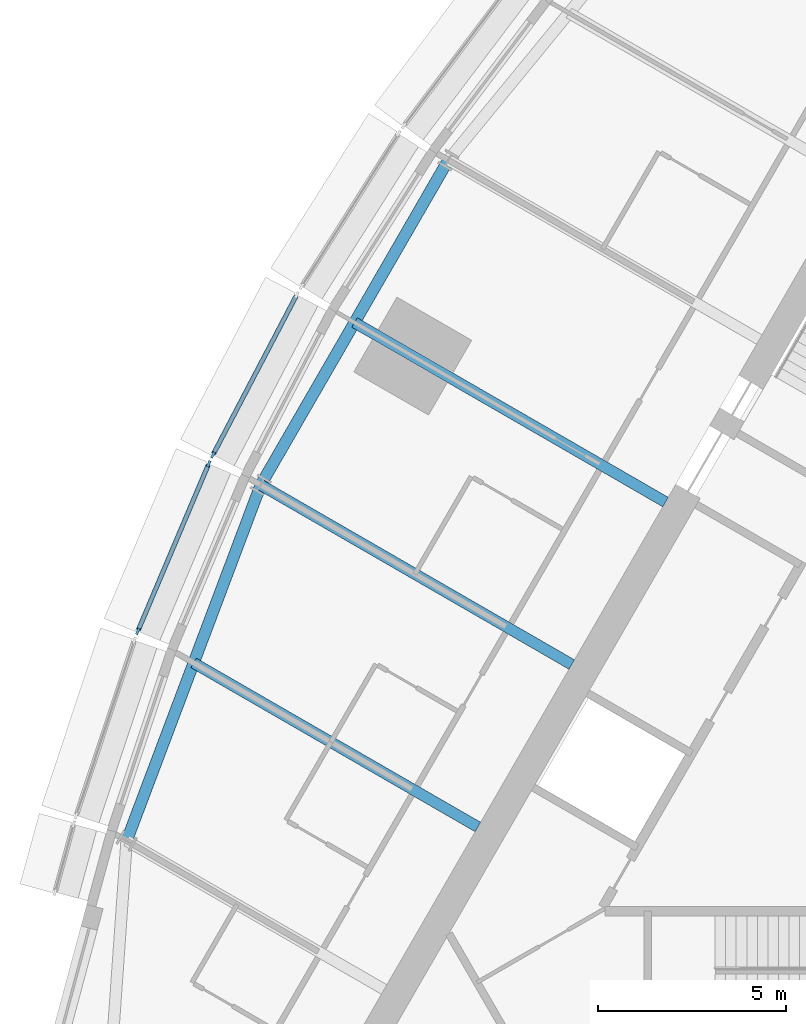
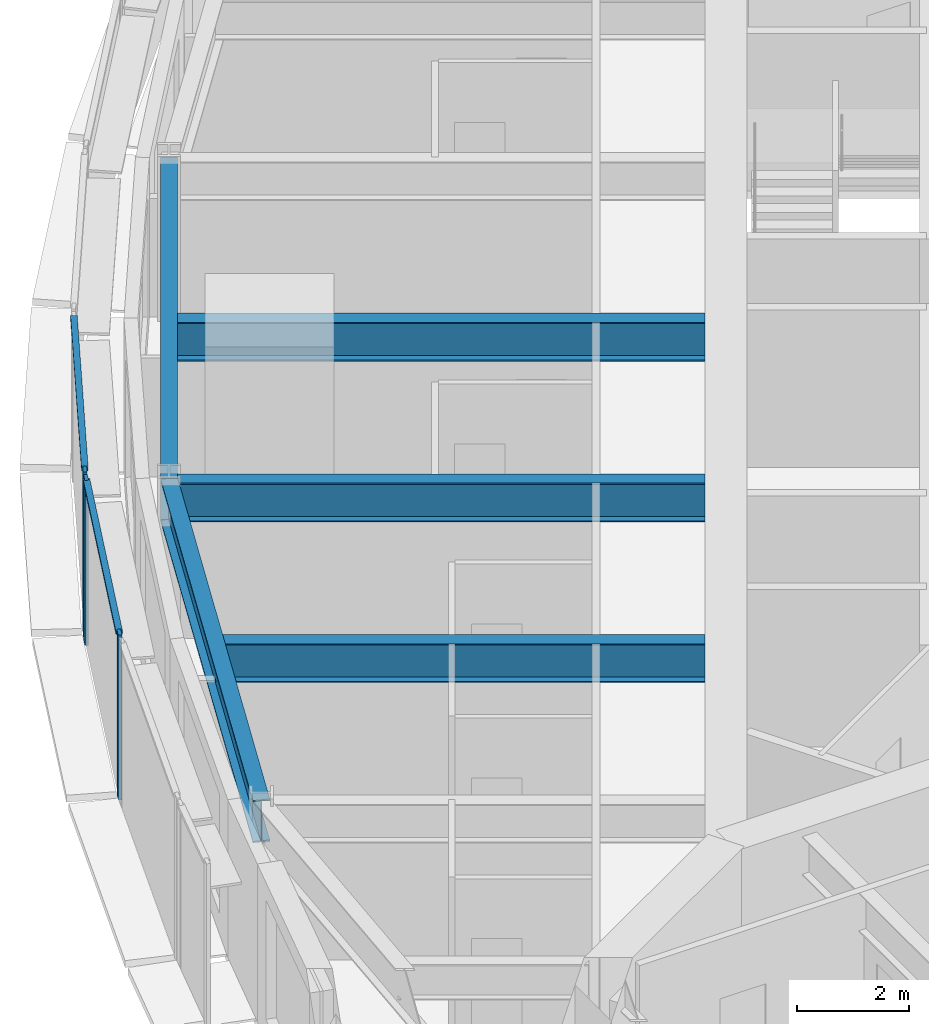
# One storey, part 3 of 15: 5 beams, 5 members, 2 elements without a shape of their own.
"""IFC4 building model written with IfcOpenShell, lengths in metres."""

from ifc_helpers import new_model, si_unit, direction, frame, origin, origin_2d, place, context, subcontext, project, spatial, rectangle, i_section, extrude, material, material_profile, profile_set, type_object, element, aggregate, save


model = new_model("IFC4")

# Units and contexts
model_context = context("Model", 3, precision=1e-05, world=origin(), true_north=direction((0.0, 1.0)))
body_context = subcontext(model_context, "Body", "Model", "MODEL_VIEW")
ifc_project = project(units=[si_unit("LENGTHUNIT", "METRE"), si_unit("AREAUNIT", "SQUARE_METRE"), si_unit("VOLUMEUNIT", "CUBIC_METRE"), si_unit("PLANEANGLEUNIT", "RADIAN"), si_unit("MASSUNIT", "GRAM", prefix="KILO")], contexts=[model_context])

# Site, building, storey
site_placement = place(None, origin())
site = spatial("IfcSite", under=ifc_project, at=site_placement, CompositionType="ELEMENT")
building_placement = place(site_placement, origin())
building = spatial("IfcBuilding", under=site, at=building_placement, Name="Trikona Tower", CompositionType="ELEMENT")
storey_placement = place(building_placement, frame((0.0, 0.0, 215.300048828125)))
storey = spatial("IfcBuildingStorey", under=building, at=storey_placement, Name="L57", CompositionType="ELEMENT", Elevation=215.300048828125)

# Curtain wall, member
ifc_material_1 = material(Name="Aluminium curtain wall system", Category="aluminium")
curtain_wall_type = type_object("IfcCurtainWallType", Name="Curtain wall DS3", PredefinedType="NOTDEFINED", material=ifc_material_1)
curtain_wall_1_placement = place(storey_placement, origin())
curtain_wall_1 = element("IfcCurtainWall", 1, at=curtain_wall_1_placement, inside=storey, type_object=curtain_wall_type, Name="Curtain wall DS3 L57", PredefinedType="NOTDEFINED")
ifc_material_2 = material(Name="Aluminium mullion, pale anodised", Category="aluminium")
ifc_material_profile_1 = material_profile(ifc_material_2, rectangle(XDim=0.070068359375, YDim=0.179931640625, at=origin_2d()), Name="MUL-DS3")
ifc_profile_set_1 = profile_set([ifc_material_profile_1], Name="Aluminium mullion, pale anodised")
member_type_1 = type_object("IfcMemberType", Name="Mullion DS3 70x180", PredefinedType="MULLION", material=ifc_profile_set_1)
member_1_placement = place(storey_placement, frame((-20.635986328125, 6.20751953125, 0.0), z_axis=(0.0, 0.0, 1.0), x_axis=(0.885862390527, -0.463948084434, 0.0)))
member_1 = element("IfcMember", 2, at=member_1_placement, type_object=member_type_1, Name="CW-DS3 mullion 2", PredefinedType="MULLION", context=body_context, shape_type="SweptSolid", body=[
    extrude(rectangle(XDim=0.070068359375, YDim=0.179931640625, at=origin_2d()), origin(), (0.0, 0.0, 1.0), 3.599853515625),
])

# Curtain wall, members
curtain_wall_2_placement = place(storey_placement, origin())
curtain_wall_2 = element("IfcCurtainWall", 3, at=curtain_wall_2_placement, inside=storey, type_object=curtain_wall_type, Name="Curtain wall DS3 L57", PredefinedType="NOTDEFINED")
member_2_placement = place(storey_placement, frame((-20.74853515625, 5.969482421875, 0.0), z_axis=(0.0, 0.0, 1.0), x_axis=(0.920792322808, -0.390053199266, 0.0)))
member_2 = element("IfcMember", 4, at=member_2_placement, type_object=member_type_1, Name="CW-DS3 mullion 1", PredefinedType="MULLION", context=body_context, shape_type="SweptSolid", body=[
    extrude(rectangle(XDim=0.070068359375, YDim=0.179931640625, at=origin_2d()), origin(), (0.0, 0.0, 1.0), 3.599853515625),
])
member_3_placement = place(storey_placement, frame((-22.6396484375, 1.50537109375, 0.0), z_axis=(0.0, 0.0, 1.0), x_axis=(0.920792322808, -0.390053199266, 0.0)))
member_3 = element("IfcMember", 5, at=member_3_placement, type_object=member_type_1, Name="CW-DS3 mullion 2", PredefinedType="MULLION", context=body_context, shape_type="SweptSolid", body=[
    extrude(rectangle(XDim=0.070068359375, YDim=0.179931640625, at=origin_2d()), origin(), (0.0, 0.0, 1.0), 3.599853515625),
])

# Beams
ifc_material_3 = material(Name="Steel ASTM A992 Grade 50", Category="steel")
ifc_material_profile_2 = material_profile(ifc_material_3, i_section(OverallWidth=0.2919921875, OverallDepth=0.845703125, WebThickness=0.015380859375, FlangeThickness=0.0244140625, at=origin_2d()), Name="W33X141")
ifc_profile_set_2 = profile_set([ifc_material_profile_2], Name="Steel ASTM A992 Grade 50")
beam_type_1 = type_object("IfcBeamType", Name="Steel beam W33x141 (radial typ)", PredefinedType="BEAM", material=ifc_profile_set_2)
for number, where, z_axis, x_axis, name in (
    (6, (-8.57470703125, 4.95068359375, 3.011962890625), (-0.866025863714, 0.499999203377, 0.0), (-0.499999203377, -0.866025863714, 0.0), "Floor beam L58 F3 u0"),
    (7, (-11.07470703125, 0.62060546875, 3.011962890625), (-0.866025863714, 0.499999203377, 0.0), (-0.499999203377, -0.866025863714, 0.0), "Floor beam L58 F3 u5"),
):
    element("IfcBeam", number, at=place(storey_placement, frame(where, z_axis=z_axis, x_axis=x_axis)), inside=storey, type_object=beam_type_1, Name=name, PredefinedType="BEAM", context=body_context, shape_type="SweptSolid", body=[
        extrude(i_section(OverallWidth=0.2919921875, OverallDepth=0.845703125, WebThickness=0.015380859375, FlangeThickness=0.0244140625, at=origin_2d()), origin(), (0.0, 0.0, 1.0), 9.57080078125),
    ])
beam_1_placement = place(storey_placement, frame((-13.57470703125, -3.709716796875, 3.011962890625), z_axis=(-0.866013609749, 0.500020427312, 0.0), x_axis=(-0.500020427312, -0.866013609749, 0.0)))
element("IfcBeam", 8, at=beam_1_placement, inside=storey, type_object=beam_type_1, Name="Floor beam L58 F3 u10", PredefinedType="BEAM", context=body_context, shape_type="SweptSolid", body=[
    extrude(i_section(OverallWidth=0.2919921875, OverallDepth=0.845703125, WebThickness=0.015380859375, FlangeThickness=0.0244140625, at=origin_2d()), origin(), (0.0, 0.0, 1.0), 8.747314453125),
])
ifc_material_4 = material(Name="Steel ASTM A992 Grade 50", Category="steel")
ifc_material_profile_3 = material_profile(ifc_material_4, i_section(OverallWidth=0.307373046875, OverallDepth=0.922119140625, WebThickness=0.018310546875, FlangeThickness=0.030029296875, at=origin_2d()), Name="W36X182")
ifc_profile_set_3 = profile_set([ifc_material_profile_3], Name="Steel ASTM A992 Grade 50")
beam_type_2 = type_object("IfcBeamType", Name="Steel beam W36x182 (spandrel mid)", PredefinedType="SPANDREL", material=ifc_profile_set_3)
beam_2_placement = place(storey_placement, frame((-14.36328125, 14.066162109375, 2.973876953125), z_axis=(-0.500004234368, -0.866022959057, 0.0), x_axis=(0.866022959057, -0.500004234368, 0.0)))
element("IfcBeam", 9, at=beam_2_placement, inside=storey, type_object=beam_type_2, Name="Spandrel beam L58 F3-3", PredefinedType="SPANDREL", context=body_context, shape_type="SweptSolid", body=[
    extrude(i_section(OverallWidth=0.307373046875, OverallDepth=0.922119140625, WebThickness=0.018310546875, FlangeThickness=0.030029296875, at=origin_2d()), origin(), (0.0, 0.0, 1.0), 10.0),
])
beam_3_placement = place(storey_placement, frame((-19.36328125, 5.406005859375, 2.973876953125), z_axis=(-0.352596088442, -0.935775613283, 0.0), x_axis=(0.935775613283, -0.352596088442, 0.0)))
element("IfcBeam", 10, at=beam_3_placement, inside=storey, type_object=beam_type_2, Name="Spandrel beam L58 F3-4", PredefinedType="SPANDREL", context=body_context, shape_type="SweptSolid", body=[
    extrude(i_section(OverallWidth=0.307373046875, OverallDepth=0.922119140625, WebThickness=0.018310546875, FlangeThickness=0.030029296875, at=origin_2d()), origin(), (0.0, 0.0, 1.0), 10.134765625),
])

# Member
ifc_material_5 = material(Name="Aluminium transom, pale anodised", Category="aluminium")
ifc_material_profile_4 = material_profile(ifc_material_5, rectangle(XDim=0.1201171875, YDim=0.070068359375, at=origin_2d()), Name="TRN-DS3")
ifc_profile_set_4 = profile_set([ifc_material_profile_4], Name="Aluminium transom, pale anodised")
member_type_2 = type_object("IfcMemberType", Name="Transom DS3 70x120", PredefinedType="USERDEFINED", material=ifc_profile_set_4)
member_4_placement = place(storey_placement, frame((-18.418701171875, 10.44140625, 3.56494140625), z_axis=(-0.463910848027, -0.885881891158, 0.0), x_axis=(0.885881891158, -0.463910848027, 0.0)))
member_4 = element("IfcMember", 11, at=member_4_placement, type_object=member_type_2, Name="CW-DS3 transom 1.1", ObjectType="TRANSOM", PredefinedType="USERDEFINED", context=body_context, shape_type="SweptSolid", body=[
    extrude(rectangle(XDim=0.1201171875, YDim=0.070068359375, at=origin_2d()), origin(), (0.0, 0.0, 1.0), 4.744384765625),
])

aggregate(curtain_wall_1, [member_1, member_4])

member_5_placement = place(storey_placement, frame((-20.76220703125, 5.937255859375, 3.56494140625), z_axis=(-0.390061662668, -0.920788737614, 0.0), x_axis=(0.920788737614, -0.390061662668, 0.0)))
member_5 = element("IfcMember", 12, at=member_5_placement, type_object=member_type_2, Name="CW-DS3 transom 1.1", ObjectType="TRANSOM", PredefinedType="USERDEFINED", context=body_context, shape_type="SweptSolid", body=[
    extrude(rectangle(XDim=0.1201171875, YDim=0.070068359375, at=origin_2d()), origin(), (0.0, 0.0, 1.0), 4.778076171875),
])

aggregate(curtain_wall_2, [member_2, member_3, member_5])

save(model, "model.ifc")
